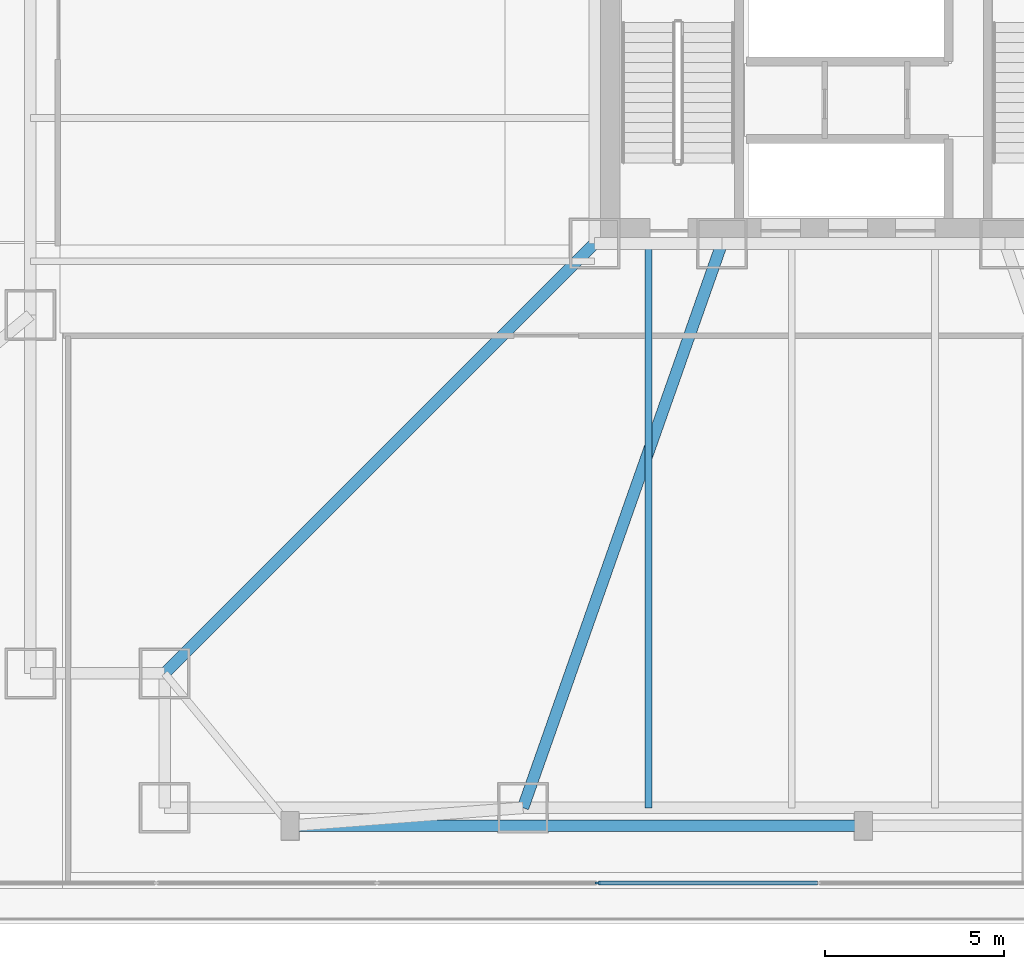
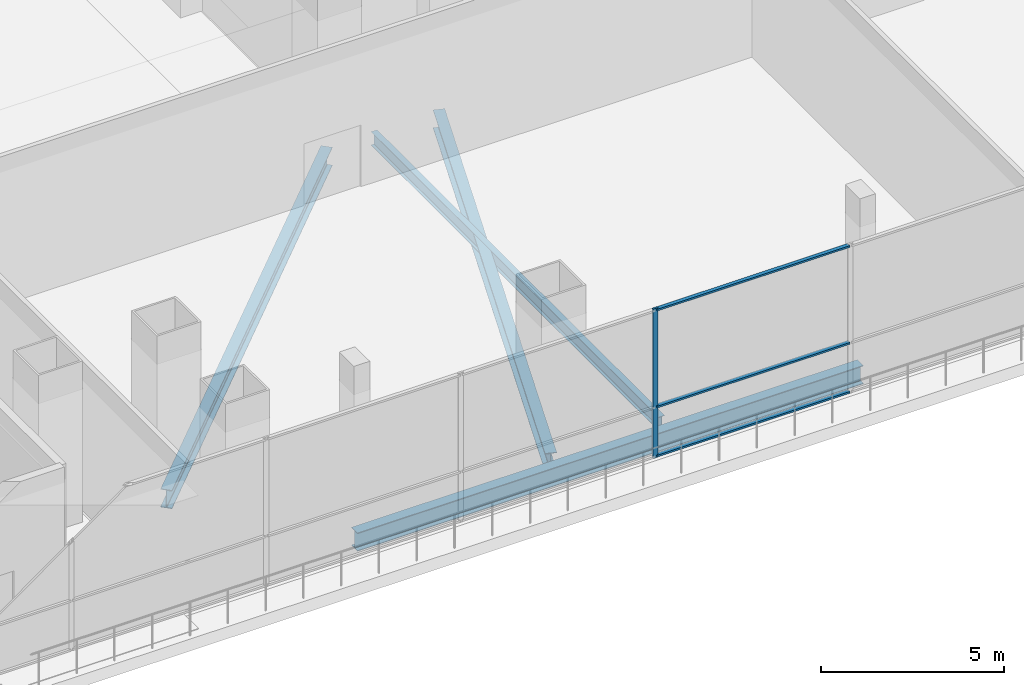
# One storey, part 6 of 36: 4 beams, 4 members, 1 element without a shape of its own.
"""IFC4 building model written with IfcOpenShell, lengths in metres."""

from ifc_helpers import new_model, si_unit, direction, frame, origin, origin_2d, place, context, subcontext, project, spatial, rectangle, i_section, extrude, material, layer, layer_set, material_profile, profile_set, type_object, element, aggregate, save


model = new_model("IFC4")

# Units and contexts
model_context = context("Model", 3, precision=1e-05, world=origin(), true_north=direction((0.0, 1.0)))
body_context = subcontext(model_context, "Body", "Model", "MODEL_VIEW")
ifc_project = project(units=[si_unit("LENGTHUNIT", "METRE"), si_unit("AREAUNIT", "SQUARE_METRE"), si_unit("VOLUMEUNIT", "CUBIC_METRE"), si_unit("PLANEANGLEUNIT", "RADIAN"), si_unit("MASSUNIT", "GRAM", prefix="KILO")], contexts=[model_context])

# Site, building, storey
site_placement = place(None, origin())
site = spatial("IfcSite", under=ifc_project, at=site_placement, CompositionType="ELEMENT")
building_placement = place(site_placement, origin())
building = spatial("IfcBuilding", under=site, at=building_placement, Name="Trevonay Congress Spire", CompositionType="ELEMENT")
storey_placement = place(building_placement, frame((0.0, 0.0, 16.199951171875)))
storey = spatial("IfcBuildingStorey", under=building, at=storey_placement, Name="L03", CompositionType="ELEMENT", Elevation=16.199951171875)

# Beams
ifc_material_1 = material(Name="Steel ASTM A572 Grade 50", Category="steel")
ifc_material_profile_1 = material_profile(ifc_material_1, i_section(OverallWidth=0.324951171875, OverallDepth=0.615966796875, WebThickness=0.013916015625, FlangeThickness=0.021484375, FilletRadius=0.01806640625, at=origin_2d()), Name="W610x174")
ifc_profile_set_1 = profile_set([ifc_material_profile_1], Name="Steel ASTM A572 Grade 50")
beam_type_1 = type_object("IfcBeamType", Name="BM-GIRD-W610X174", PredefinedType="BEAM", material=ifc_profile_set_1)
beam_1_placement = place(storey_placement, frame((-7.5, -7.5, -0.7080078125), z_axis=(-0.707106781187, -0.707106781187, 0.0), x_axis=(0.707106781187, -0.707106781187, 0.0)))
element("IfcBeam", 1, at=beam_1_placement, inside=storey, type_object=beam_type_1, Name="L03 structural beam BM-L03-RAD-SW", PredefinedType="BEAM", context=body_context, shape_type="SweptSolid", body=[
    extrude(i_section(OverallWidth=0.324951171875, OverallDepth=0.615966796875, WebThickness=0.013916015625, FlangeThickness=0.021484375, FilletRadius=0.01806640625, at=origin_2d()), origin(), (0.0, 0.0, 1.0), 16.970458984375),
])
beam_2_placement = place(storey_placement, frame((-3.949951171875, -7.5, -0.7080078125), z_axis=(-0.332352826786, -0.943155129619, 0.0), x_axis=(0.943155129619, -0.332352826786, 0.0)))
element("IfcBeam", 2, at=beam_2_placement, inside=storey, type_object=beam_type_1, Name="L03 structural beam BM-L03-RAD-S1", PredefinedType="BEAM", context=body_context, shape_type="SweptSolid", body=[
    extrude(i_section(OverallWidth=0.324951171875, OverallDepth=0.615966796875, WebThickness=0.013916015625, FlangeThickness=0.021484375, FilletRadius=0.01806640625, at=origin_2d()), origin(), (0.0, 0.0, 1.0), 16.69921875),
])
beam_3_placement = place(storey_placement, frame((-16.0, -23.75, -0.7080078125), z_axis=(1.0, 0.0, 0.0), x_axis=(0.0, 1.0, 0.0)))
element("IfcBeam", 3, at=beam_3_placement, inside=storey, type_object=beam_type_1, Name="L03 structural beam BM-L03-PIL-S1", PredefinedType="BEAM", context=body_context, shape_type="SweptSolid", body=[
    extrude(i_section(OverallWidth=0.324951171875, OverallDepth=0.615966796875, WebThickness=0.013916015625, FlangeThickness=0.021484375, FilletRadius=0.01806640625, at=origin_2d()), origin(), (0.0, 0.0, 1.0), 16.0),
])

# Curtain wall, members
ifc_material_2 = material(Name="Pale Anodised Aluminium EN AW-6063-T6", Category="aluminium")
ifc_layer = layer(ifc_material_2, 0.179931640625, Name="Pale Anodised Aluminium EN AW-6063-T6")
ifc_layer_set = layer_set([ifc_layer], Name="Pale Anodised Aluminium EN AW-6063-T6")
curtain_wall_type = type_object("IfcCurtainWallType", Name="CW-SYS01-PODIUM-PALE-METAL", PredefinedType="NOTDEFINED", material=ifc_layer_set)
curtain_wall_placement = place(storey_placement, origin())
curtain_wall = element("IfcCurtainWall", 4, at=curtain_wall_placement, inside=storey, type_object=curtain_wall_type, Name="L03 S1 podium curtain wall", PredefinedType="NOTDEFINED")
ifc_material_profile_2 = material_profile(ifc_material_2, rectangle(XDim=0.06005859375, YDim=0.159912109375, at=origin_2d()), Name="CW-MULLION-160-ALUMINIUM")
ifc_profile_set_2 = profile_set([ifc_material_profile_2], Name="Pale Anodised Aluminium EN AW-6063-T6")
member_type_1 = type_object("IfcMemberType", Name="CW-MULLION-160-ALUMINIUM", PredefinedType="MULLION", material=ifc_profile_set_2)
member_1_placement = place(storey_placement, frame((-7.416748046875, -25.35009765625, 0.0), z_axis=(0.0, 0.0, 1.0), x_axis=(0.0, 1.0, 0.0)))
member_1 = element("IfcMember", 5, at=member_1_placement, type_object=member_type_1, Name="CW01 mullion 5", PredefinedType="MULLION", context=body_context, shape_type="SweptSolid", body=[
    extrude(rectangle(XDim=0.06005859375, YDim=0.159912109375, at=origin_2d()), origin(), (0.0, 0.0, 1.0), 5.0),
])
ifc_material_profile_3 = material_profile(ifc_material_2, rectangle(XDim=0.1201171875, YDim=0.06005859375, at=origin_2d()), Name="CW-TRANSOM-120-ALUMINIUM")
ifc_profile_set_3 = profile_set([ifc_material_profile_3], Name="Pale Anodised Aluminium EN AW-6063-T6")
member_type_2 = type_object("IfcMemberType", Name="CW-TRANSOM-120-ALUMINIUM", PredefinedType="USERDEFINED", material=ifc_profile_set_3)
member_2_placement = place(storey_placement, frame((-7.38671875, -25.35009765625, 0.06005859375), z_axis=(1.0, 0.0, 0.0), x_axis=(0.0, 1.0, 0.0)))
member_2 = element("IfcMember", 6, at=member_2_placement, type_object=member_type_2, Name="CW01 transom 5.1", ObjectType="TRANSOM", PredefinedType="USERDEFINED", context=body_context, shape_type="SweptSolid", body=[
    extrude(rectangle(XDim=0.1201171875, YDim=0.06005859375, at=origin_2d()), origin(), (0.0, 0.0, 1.0), 6.098388671875),
])
member_3_placement = place(storey_placement, frame((-7.38671875, -25.35009765625, 1.699951171875), z_axis=(1.0, 0.0, 0.0), x_axis=(0.0, 1.0, 0.0)))
member_3 = element("IfcMember", 7, at=member_3_placement, type_object=member_type_2, Name="CW01 transom 5.2", ObjectType="TRANSOM", PredefinedType="USERDEFINED", context=body_context, shape_type="SweptSolid", body=[
    extrude(rectangle(XDim=0.1201171875, YDim=0.06005859375, at=origin_2d()), origin(), (0.0, 0.0, 1.0), 6.098388671875),
])
member_4_placement = place(storey_placement, frame((-7.38671875, -25.35009765625, 4.93994140625), z_axis=(1.0, 0.0, 0.0), x_axis=(0.0, 1.0, 0.0)))
member_4 = element("IfcMember", 8, at=member_4_placement, type_object=member_type_2, Name="CW01 transom 5.3", ObjectType="TRANSOM", PredefinedType="USERDEFINED", context=body_context, shape_type="SweptSolid", body=[
    extrude(rectangle(XDim=0.1201171875, YDim=0.06005859375, at=origin_2d()), origin(), (0.0, 0.0, 1.0), 6.098388671875),
])
aggregate(curtain_wall, [member_1, member_2, member_3, member_4])

# Beam
ifc_material_profile_4 = material_profile(ifc_material_1, i_section(OverallWidth=0.18994140625, OverallDepth=0.45703125, WebThickness=0.009033203125, FlangeThickness=0.014404296875, FilletRadius=0.013916015625, at=origin_2d()), Name="W460x74")
ifc_profile_set_4 = profile_set([ifc_material_profile_4], Name="Steel ASTM A572 Grade 50")
beam_type_2 = type_object("IfcBeamType", Name="JS-COMP-W460X74", PredefinedType="JOIST", material=ifc_profile_set_4)
beam_4_placement = place(storey_placement, frame((-6.0, -23.25, -0.62841796875), z_axis=(0.0, 1.0, 0.0), x_axis=(-1.0, 0.0, 0.0)))
element("IfcBeam", 9, at=beam_4_placement, inside=storey, type_object=beam_type_2, Name="L03 structural beam JS-L03-SH1", PredefinedType="JOIST", context=body_context, shape_type="SweptSolid", body=[
    extrude(i_section(OverallWidth=0.18994140625, OverallDepth=0.45703125, WebThickness=0.009033203125, FlangeThickness=0.014404296875, FilletRadius=0.013916015625, at=origin_2d()), origin(), (0.0, 0.0, 1.0), 15.75),
])

save(model, "model.ifc")
